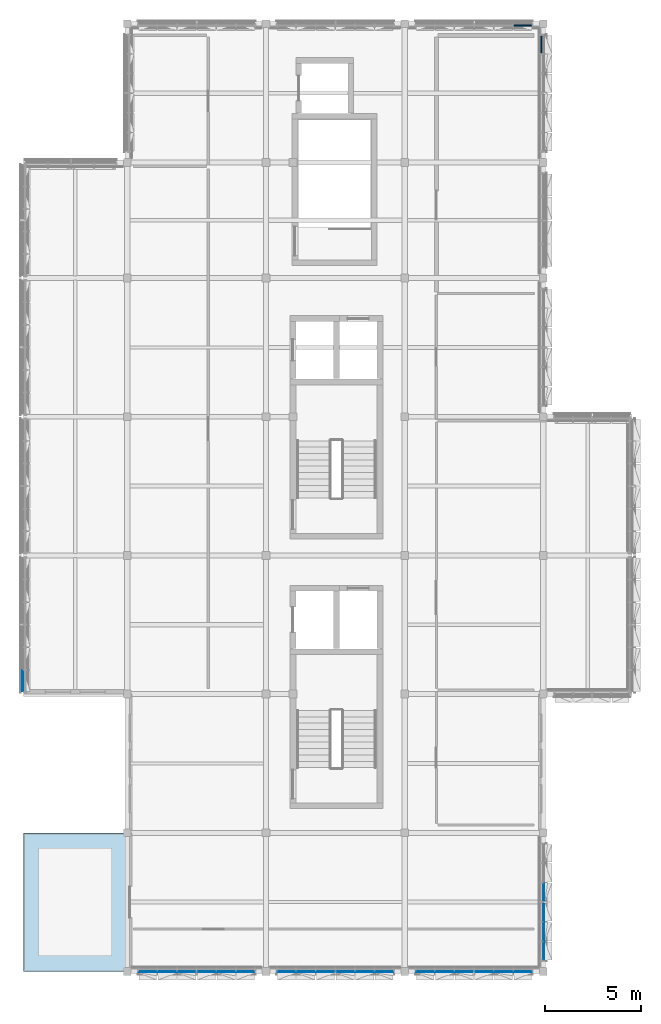
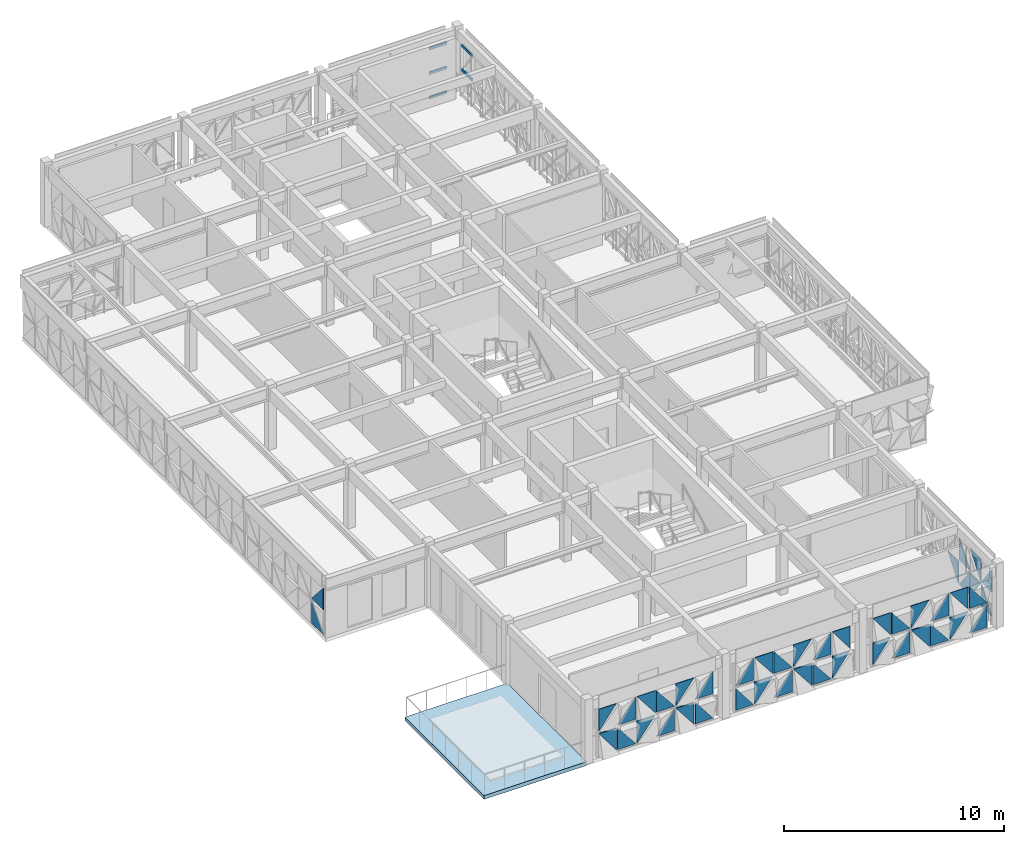
# One storey, part 11 of 25: 45 plates, 5 members, 1 slab, 7 elements without a shape of their own.
"""IFC4 building model written with IfcOpenShell, lengths in metres."""

from ifc_helpers import new_model, si_unit, direction, frame, origin, origin_2d, place, context, subcontext, project, spatial, polyline, rectangle, outline, extrude, material, layer, layer_set, material_profile, profile_set, type_object, element, aggregate, save


model = new_model("IFC4")

# Units and contexts
model_context = context("Model", 3, precision=1e-05, world=origin(), true_north=direction((0.0, 1.0)))
body_context = subcontext(model_context, "Body", "Model", "MODEL_VIEW")
ifc_project = project(units=[si_unit("LENGTHUNIT", "METRE"), si_unit("AREAUNIT", "SQUARE_METRE"), si_unit("VOLUMEUNIT", "CUBIC_METRE"), si_unit("PLANEANGLEUNIT", "RADIAN"), si_unit("MASSUNIT", "GRAM", prefix="KILO")], contexts=[model_context])

# Site, building, storey
site_placement = place(None, origin())
site = spatial("IfcSite", under=ifc_project, at=site_placement, CompositionType="ELEMENT")
building_placement = place(site_placement, origin())
building = spatial("IfcBuilding", under=site, at=building_placement, Name="Alvorim Cloister Faculty of Sciences", CompositionType="ELEMENT")
storey_placement = place(building_placement, frame((0.0, 0.0, 29.699951171875)))
storey = spatial("IfcBuildingStorey", under=building, at=storey_placement, Name="L08", CompositionType="ELEMENT", Elevation=29.699951171875)

# Curtain wall, members
ifc_material_1 = material(Name="Aluminium and Low-E Glass Curtain Wall", Category="aluminium")
curtain_wall_type_1 = type_object("IfcCurtainWallType", Name="CW-TRI-6120x2860", PredefinedType="USERDEFINED", material=ifc_material_1)
curtain_wall_1_placement = place(storey_placement, origin())
curtain_wall_1 = element("IfcCurtainWall", 1, at=curtain_wall_1_placement, inside=storey, type_object=curtain_wall_type_1, Name="L08 Diagonal Cassette Curtain Wall CW-0289", ObjectType="UNITISED CURTAIN WALL", PredefinedType="USERDEFINED")
ifc_material_2 = material(Name="Aluminium Alloy 6063-T6", Category="aluminium")
ifc_material_profile = material_profile(ifc_material_2, rectangle(XDim=0.06494140625, YDim=0.139892578125, at=origin_2d()), Name="ALU-TRN-65x140")
ifc_profile_set = profile_set([ifc_material_profile], Name="Aluminium Alloy 6063-T6")
member_type = type_object("IfcMemberType", Name="CW-TRN-65x140", PredefinedType="USERDEFINED", material=ifc_profile_set)
member_1_placement = place(storey_placement, frame((27.2724609375, 56.31005859375, 0.070068359375), z_axis=(1.0, 0.0, 0.0), x_axis=(0.0, 1.0, 0.0)))
member_1 = element("IfcMember", 2, at=member_1_placement, type_object=member_type, Name="CW-0289 Transom 6.1", ObjectType="TRANSOM", PredefinedType="USERDEFINED", context=body_context, shape_type="SweptSolid", body=[
    extrude(rectangle(XDim=0.06494140625, YDim=0.139892578125, at=origin_2d()), origin(), (0.0, 0.0, 1.0), 0.922607421875),
])
member_2_placement = place(storey_placement, frame((27.2724609375, 56.31005859375, 1.429931640625), z_axis=(1.0, 0.0, 0.0), x_axis=(0.0, 1.0, 0.0)))
member_2 = element("IfcMember", 3, at=member_2_placement, type_object=member_type, Name="CW-0289 Transom 6.2", ObjectType="TRANSOM", PredefinedType="USERDEFINED", context=body_context, shape_type="SweptSolid", body=[
    extrude(rectangle(XDim=0.06494140625, YDim=0.139892578125, at=origin_2d()), origin(), (0.0, 0.0, 1.0), 0.922607421875),
])
member_3_placement = place(storey_placement, frame((27.2724609375, 56.31005859375, 2.7900390625), z_axis=(1.0, 0.0, 0.0), x_axis=(0.0, 1.0, 0.0)))
member_3 = element("IfcMember", 4, at=member_3_placement, type_object=member_type, Name="CW-0289 Transom 6.3", ObjectType="TRANSOM", PredefinedType="USERDEFINED", context=body_context, shape_type="SweptSolid", body=[
    extrude(rectangle(XDim=0.06494140625, YDim=0.139892578125, at=origin_2d()), origin(), (0.0, 0.0, 1.0), 0.922607421875),
])
aggregate(curtain_wall_1, [member_1, member_2, member_3])

curtain_wall_2_placement = place(storey_placement, origin())
curtain_wall_2 = element("IfcCurtainWall", 5, at=curtain_wall_2_placement, inside=storey, type_object=curtain_wall_type_1, Name="L08 Diagonal Cassette Curtain Wall CW-0290", ObjectType="UNITISED CURTAIN WALL", PredefinedType="USERDEFINED")
member_4_placement = place(storey_placement, frame((28.7099609375, 54.87255859375, 1.429931640625), z_axis=(0.0, 1.0, 0.0), x_axis=(-1.0, 0.0, 0.0)))
member_4 = element("IfcMember", 6, at=member_4_placement, type_object=member_type, Name="CW-0290 Transom 6.2", ObjectType="TRANSOM", PredefinedType="USERDEFINED", context=body_context, shape_type="SweptSolid", body=[
    extrude(rectangle(XDim=0.06494140625, YDim=0.139892578125, at=origin_2d()), origin(), (0.0, 0.0, 1.0), 0.92236328125),
])
member_5_placement = place(storey_placement, frame((28.7099609375, 54.87255859375, 2.7900390625), z_axis=(0.0, 1.0, 0.0), x_axis=(-1.0, 0.0, 0.0)))
member_5 = element("IfcMember", 7, at=member_5_placement, type_object=member_type, Name="CW-0290 Transom 6.3", ObjectType="TRANSOM", PredefinedType="USERDEFINED", context=body_context, shape_type="SweptSolid", body=[
    extrude(rectangle(XDim=0.06494140625, YDim=0.139892578125, at=origin_2d()), origin(), (0.0, 0.0, 1.0), 0.92236328125),
])
aggregate(curtain_wall_2, [member_4, member_5])

# Curtain wall, plates
curtain_wall_type_2 = type_object("IfcCurtainWallType", Name="CW-TRI-7040x2867", PredefinedType="USERDEFINED", material=ifc_material_1)
curtain_wall_3_placement = place(storey_placement, origin())
curtain_wall_3 = element("IfcCurtainWall", 8, at=curtain_wall_3_placement, inside=storey, type_object=curtain_wall_type_2, Name="L08 Diagonal Cassette Curtain Wall CW-0281", ObjectType="UNITISED CURTAIN WALL", PredefinedType="USERDEFINED")
ifc_material_3 = material(Name="Double Low-E Laminated Glass", Category="glass")
ifc_layer_1 = layer(ifc_material_3, 0.0400390625)
ifc_layer_set_1 = layer_set([ifc_layer_1], Name="Double Low-E Laminated Glass")
plate_type = type_object("IfcPlateType", Name="PN-GLZ-40", PredefinedType="CURTAIN_PANEL", material=ifc_layer_set_1)
plate_1_placement = place(storey_placement, frame((1.77490234375, 21.7451171875, 0.14013671875), z_axis=(0.0, 0.0, 1.0), x_axis=(0.0, 1.0, 0.0)))
plate_1 = element("IfcPlate", 9, at=plate_1_placement, type_object=plate_type, Name="Diagonal Glazed Triangle TRI-BR", PredefinedType="CURTAIN_PANEL", context=body_context, shape_type="SweptSolid", body=[
    extrude(outline(polyline([(0.001953125, 0.0), (1.075927734375, 0.0), (1.075927734375, 1.221435546875), (0.001953125, 0.0)])), frame((0.0, 0.02490234375, 0.0), z_axis=(0.0, -1.0, 0.0), x_axis=(1.0, 0.0, 0.0)), (0.0, 0.0, 1.0), 0.050048828125),
])
plate_2_placement = place(storey_placement, frame((1.77490234375, 21.7451171875, 1.503662109375), z_axis=(0.0, 0.0, 1.0), x_axis=(0.0, 1.0, 0.0)))
plate_2 = element("IfcPlate", 10, at=plate_2_placement, type_object=plate_type, Name="Diagonal Glazed Triangle TRI-BL", PredefinedType="CURTAIN_PANEL", context=body_context, shape_type="SweptSolid", body=[
    extrude(outline(polyline([(0.0, 0.0), (1.073974609375, 0.0), (0.0, 1.221435546875), (0.0, 0.0)])), frame((0.0, 0.02490234375, 0.0), z_axis=(0.0, -1.0, 0.0), x_axis=(1.0, 0.0, 0.0)), (0.0, 0.0, 1.0), 0.050048828125),
])
aggregate(curtain_wall_3, [plate_1, plate_2])

curtain_wall_4_placement = place(storey_placement, origin())
curtain_wall_4 = element("IfcCurtainWall", 11, at=curtain_wall_4_placement, inside=storey, type_object=curtain_wall_type_1, Name="L08 Diagonal Cassette Curtain Wall CW-0297", ObjectType="UNITISED CURTAIN WALL", PredefinedType="USERDEFINED")
plate_3_placement = place(storey_placement, frame((28.824951171875, 7.804931640625, 0.14013671875), z_axis=(0.0, 0.0, 1.0), x_axis=(0.0, 1.0, 0.0)))
plate_3 = element("IfcPlate", 12, at=plate_3_placement, type_object=plate_type, Name="Diagonal Glazed Triangle TRI-BR", PredefinedType="CURTAIN_PANEL", context=body_context, shape_type="SweptSolid", body=[
    extrude(outline(polyline([(0.001953125, 0.0), (0.922607421875, 0.0), (0.922607421875, 1.218017578125), (0.001953125, 0.0)])), frame((0.0, 0.02490234375, 0.0), z_axis=(0.0, -1.0, 0.0), x_axis=(1.0, 0.0, 0.0)), (0.0, 0.0, 1.0), 0.050048828125),
])
plate_4_placement = place(storey_placement, frame((28.824951171875, 7.804931640625, 1.5), z_axis=(0.0, 0.0, 1.0), x_axis=(0.0, 1.0, 0.0)))
plate_4 = element("IfcPlate", 13, at=plate_4_placement, type_object=plate_type, Name="Diagonal Glazed Triangle TRI-BL", PredefinedType="CURTAIN_PANEL", context=body_context, shape_type="SweptSolid", body=[
    extrude(outline(polyline([(0.0, 0.0), (0.920654296875, 0.0), (0.0, 1.218017578125), (0.0, 0.0)])), frame((0.0, 0.02490234375, 0.0), z_axis=(0.0, -1.0, 0.0), x_axis=(1.0, 0.0, 0.0)), (0.0, 0.0, 1.0), 0.050048828125),
])
plate_5_placement = place(storey_placement, frame((28.824951171875, 8.79248046875, 0.14013671875), z_axis=(0.0, 0.0, 1.0), x_axis=(0.0, 1.0, 0.0)))
plate_5 = element("IfcPlate", 14, at=plate_5_placement, type_object=plate_type, Name="Diagonal Glazed Triangle TRI-TR", PredefinedType="CURTAIN_PANEL", context=body_context, shape_type="SweptSolid", body=[
    extrude(outline(polyline([(0.955078125, 0.001953125), (0.955078125, 1.219970703125), (0.001953125, 1.219970703125), (0.955078125, 0.001953125)])), frame((0.0, 0.02490234375, 0.0), z_axis=(0.0, -1.0, 0.0), x_axis=(1.0, 0.0, 0.0)), (0.0, 0.0, 1.0), 0.050048828125),
])
plate_6_placement = place(storey_placement, frame((28.824951171875, 8.79248046875, 1.5), z_axis=(0.0, 0.0, 1.0), x_axis=(0.0, 1.0, 0.0)))
plate_6 = element("IfcPlate", 15, at=plate_6_placement, type_object=plate_type, Name="Diagonal Glazed Triangle TRI-TL", PredefinedType="CURTAIN_PANEL", context=body_context, shape_type="SweptSolid", body=[
    extrude(outline(polyline([(0.953125, 1.219970703125), (0.0, 1.219970703125), (0.0, 0.001953125), (0.953125, 1.219970703125)])), frame((0.0, 0.02490234375, 0.0), z_axis=(0.0, -1.0, 0.0), x_axis=(1.0, 0.0, 0.0)), (0.0, 0.0, 1.0), 0.050048828125),
])
plate_7_placement = place(storey_placement, frame((28.824951171875, 9.8125, 0.14013671875), z_axis=(0.0, 0.0, 1.0), x_axis=(0.0, 1.0, 0.0)))
plate_7 = element("IfcPlate", 16, at=plate_7_placement, type_object=plate_type, Name="Diagonal Glazed Triangle TRI-BL", PredefinedType="CURTAIN_PANEL", context=body_context, shape_type="SweptSolid", body=[
    extrude(outline(polyline([(0.0, 0.0), (0.953125, 0.0), (0.0, 1.218017578125), (0.0, 0.0)])), frame((0.0, 0.02490234375, 0.0), z_axis=(0.0, -1.0, 0.0), x_axis=(1.0, 0.0, 0.0)), (0.0, 0.0, 1.0), 0.050048828125),
])
plate_8_placement = place(storey_placement, frame((28.824951171875, 9.8125, 1.5), z_axis=(0.0, 0.0, 1.0), x_axis=(0.0, 1.0, 0.0)))
plate_8 = element("IfcPlate", 17, at=plate_8_placement, type_object=plate_type, Name="Diagonal Glazed Triangle TRI-BR", PredefinedType="CURTAIN_PANEL", context=body_context, shape_type="SweptSolid", body=[
    extrude(outline(polyline([(0.001953125, 0.0), (0.955078125, 0.0), (0.955078125, 1.218017578125), (0.001953125, 0.0)])), frame((0.0, 0.02490234375, 0.0), z_axis=(0.0, -1.0, 0.0), x_axis=(1.0, 0.0, 0.0)), (0.0, 0.0, 1.0), 0.050048828125),
])
plate_9_placement = place(storey_placement, frame((28.824951171875, 10.83251953125, 0.14013671875), z_axis=(0.0, 0.0, 1.0), x_axis=(0.0, 1.0, 0.0)))
plate_9 = element("IfcPlate", 18, at=plate_9_placement, type_object=plate_type, Name="Diagonal Glazed Triangle TRI-TL", PredefinedType="CURTAIN_PANEL", context=body_context, shape_type="SweptSolid", body=[
    extrude(outline(polyline([(0.953125, 1.219970703125), (0.0, 1.219970703125), (0.0, 0.001953125), (0.953125, 1.219970703125)])), frame((0.0, 0.02490234375, 0.0), z_axis=(0.0, -1.0, 0.0), x_axis=(1.0, 0.0, 0.0)), (0.0, 0.0, 1.0), 0.050048828125),
])
aggregate(curtain_wall_4, [plate_3, plate_4, plate_5, plate_6, plate_7, plate_8, plate_9])

curtain_wall_5_placement = place(storey_placement, origin())
curtain_wall_5 = element("IfcCurtainWall", 19, at=curtain_wall_5_placement, inside=storey, type_object=curtain_wall_type_1, Name="L08 Diagonal Cassette Curtain Wall CW-0298", ObjectType="UNITISED CURTAIN WALL", PredefinedType="USERDEFINED")
plate_10_placement = place(storey_placement, frame((22.205078125, 7.175048828125, 0.14013671875), z_axis=(0.0, 0.0, 1.0), x_axis=(1.0, 0.0, 0.0)))
plate_10 = element("IfcPlate", 20, at=plate_10_placement, type_object=plate_type, Name="Diagonal Glazed Triangle TRI-TL", PredefinedType="CURTAIN_PANEL", context=body_context, shape_type="SweptSolid", body=[
    extrude(outline(polyline([(0.920654296875, 1.219970703125), (0.0, 1.219970703125), (0.0, 0.001953125), (0.920654296875, 1.219970703125)])), frame((0.0, 0.02490234375, 0.0), z_axis=(0.0, -1.0, 0.0), x_axis=(1.0, 0.0, 0.0)), (0.0, 0.0, 1.0), 0.050048828125),
])
plate_11_placement = place(storey_placement, frame((22.205078125, 7.175048828125, 1.5), z_axis=(0.0, 0.0, 1.0), x_axis=(1.0, 0.0, 0.0)))
plate_11 = element("IfcPlate", 21, at=plate_11_placement, type_object=plate_type, Name="Diagonal Glazed Triangle TRI-TR", PredefinedType="CURTAIN_PANEL", context=body_context, shape_type="SweptSolid", body=[
    extrude(outline(polyline([(0.922607421875, 0.001953125), (0.922607421875, 1.219970703125), (0.001953125, 1.219970703125), (0.922607421875, 0.001953125)])), frame((0.0, 0.02490234375, 0.0), z_axis=(0.0, -1.0, 0.0), x_axis=(1.0, 0.0, 0.0)), (0.0, 0.0, 1.0), 0.050048828125),
])
plate_12_placement = place(storey_placement, frame((23.1923828125, 7.175048828125, 0.14013671875), z_axis=(0.0, 0.0, 1.0), x_axis=(1.0, 0.0, 0.0)))
plate_12 = element("IfcPlate", 22, at=plate_12_placement, type_object=plate_type, Name="Diagonal Glazed Triangle TRI-BR", PredefinedType="CURTAIN_PANEL", context=body_context, shape_type="SweptSolid", body=[
    extrude(outline(polyline([(0.001953125, 0.0), (0.955078125, 0.0), (0.955078125, 1.218017578125), (0.001953125, 0.0)])), frame((0.0, 0.02490234375, 0.0), z_axis=(0.0, -1.0, 0.0), x_axis=(1.0, 0.0, 0.0)), (0.0, 0.0, 1.0), 0.050048828125),
])
plate_13_placement = place(storey_placement, frame((23.1923828125, 7.175048828125, 1.5), z_axis=(0.0, 0.0, 1.0), x_axis=(1.0, 0.0, 0.0)))
plate_13 = element("IfcPlate", 23, at=plate_13_placement, type_object=plate_type, Name="Diagonal Glazed Triangle TRI-BL", PredefinedType="CURTAIN_PANEL", context=body_context, shape_type="SweptSolid", body=[
    extrude(outline(polyline([(0.0, 0.0), (0.953125, 0.0), (0.0, 1.218017578125), (0.0, 0.0)])), frame((0.0, 0.02490234375, 0.0), z_axis=(0.0, -1.0, 0.0), x_axis=(1.0, 0.0, 0.0)), (0.0, 0.0, 1.0), 0.050048828125),
])
plate_14_placement = place(storey_placement, frame((24.21240234375, 7.175048828125, 0.14013671875), z_axis=(0.0, 0.0, 1.0), x_axis=(1.0, 0.0, 0.0)))
plate_14 = element("IfcPlate", 24, at=plate_14_placement, type_object=plate_type, Name="Diagonal Glazed Triangle TRI-TR", PredefinedType="CURTAIN_PANEL", context=body_context, shape_type="SweptSolid", body=[
    extrude(outline(polyline([(0.955078125, 0.001953125), (0.955078125, 1.219970703125), (0.001953125, 1.219970703125), (0.955078125, 0.001953125)])), frame((0.0, 0.02490234375, 0.0), z_axis=(0.0, -1.0, 0.0), x_axis=(1.0, 0.0, 0.0)), (0.0, 0.0, 1.0), 0.050048828125),
])
plate_15_placement = place(storey_placement, frame((24.21240234375, 7.175048828125, 1.5), z_axis=(0.0, 0.0, 1.0), x_axis=(1.0, 0.0, 0.0)))
plate_15 = element("IfcPlate", 25, at=plate_15_placement, type_object=plate_type, Name="Diagonal Glazed Triangle TRI-TL", PredefinedType="CURTAIN_PANEL", context=body_context, shape_type="SweptSolid", body=[
    extrude(outline(polyline([(0.953125, 1.219970703125), (0.0, 1.219970703125), (0.0, 0.001953125), (0.953125, 1.219970703125)])), frame((0.0, 0.02490234375, 0.0), z_axis=(0.0, -1.0, 0.0), x_axis=(1.0, 0.0, 0.0)), (0.0, 0.0, 1.0), 0.050048828125),
])
plate_16_placement = place(storey_placement, frame((25.232421875, 7.175048828125, 0.14013671875), z_axis=(0.0, 0.0, 1.0), x_axis=(1.0, 0.0, 0.0)))
plate_16 = element("IfcPlate", 26, at=plate_16_placement, type_object=plate_type, Name="Diagonal Glazed Triangle TRI-BL", PredefinedType="CURTAIN_PANEL", context=body_context, shape_type="SweptSolid", body=[
    extrude(outline(polyline([(0.0, 0.0), (0.953125, 0.0), (0.0, 1.218017578125), (0.0, 0.0)])), frame((0.0, 0.02490234375, 0.0), z_axis=(0.0, -1.0, 0.0), x_axis=(1.0, 0.0, 0.0)), (0.0, 0.0, 1.0), 0.050048828125),
])
plate_17_placement = place(storey_placement, frame((25.232421875, 7.175048828125, 1.5), z_axis=(0.0, 0.0, 1.0), x_axis=(1.0, 0.0, 0.0)))
plate_17 = element("IfcPlate", 27, at=plate_17_placement, type_object=plate_type, Name="Diagonal Glazed Triangle TRI-BR", PredefinedType="CURTAIN_PANEL", context=body_context, shape_type="SweptSolid", body=[
    extrude(outline(polyline([(0.001953125, 0.0), (0.955078125, 0.0), (0.955078125, 1.218017578125), (0.001953125, 0.0)])), frame((0.0, 0.02490234375, 0.0), z_axis=(0.0, -1.0, 0.0), x_axis=(1.0, 0.0, 0.0)), (0.0, 0.0, 1.0), 0.050048828125),
])
plate_18_placement = place(storey_placement, frame((26.25244140625, 7.175048828125, 0.14013671875), z_axis=(0.0, 0.0, 1.0), x_axis=(1.0, 0.0, 0.0)))
plate_18 = element("IfcPlate", 28, at=plate_18_placement, type_object=plate_type, Name="Diagonal Glazed Triangle TRI-TL", PredefinedType="CURTAIN_PANEL", context=body_context, shape_type="SweptSolid", body=[
    extrude(outline(polyline([(0.953125, 1.219970703125), (0.0, 1.219970703125), (0.0, 0.001953125), (0.953125, 1.219970703125)])), frame((0.0, 0.02490234375, 0.0), z_axis=(0.0, -1.0, 0.0), x_axis=(1.0, 0.0, 0.0)), (0.0, 0.0, 1.0), 0.050048828125),
])
plate_19_placement = place(storey_placement, frame((26.25244140625, 7.175048828125, 1.5), z_axis=(0.0, 0.0, 1.0), x_axis=(1.0, 0.0, 0.0)))
plate_19 = element("IfcPlate", 29, at=plate_19_placement, type_object=plate_type, Name="Diagonal Glazed Triangle TRI-TR", PredefinedType="CURTAIN_PANEL", context=body_context, shape_type="SweptSolid", body=[
    extrude(outline(polyline([(0.955078125, 0.001953125), (0.955078125, 1.219970703125), (0.001953125, 1.219970703125), (0.955078125, 0.001953125)])), frame((0.0, 0.02490234375, 0.0), z_axis=(0.0, -1.0, 0.0), x_axis=(1.0, 0.0, 0.0)), (0.0, 0.0, 1.0), 0.050048828125),
])
plate_20_placement = place(storey_placement, frame((27.2724609375, 7.175048828125, 0.14013671875), z_axis=(0.0, 0.0, 1.0), x_axis=(1.0, 0.0, 0.0)))
plate_20 = element("IfcPlate", 30, at=plate_20_placement, type_object=plate_type, Name="Diagonal Glazed Triangle TRI-BR", PredefinedType="CURTAIN_PANEL", context=body_context, shape_type="SweptSolid", body=[
    extrude(outline(polyline([(0.001953125, 0.0), (0.922607421875, 0.0), (0.922607421875, 1.218017578125), (0.001953125, 0.0)])), frame((0.0, 0.02490234375, 0.0), z_axis=(0.0, -1.0, 0.0), x_axis=(1.0, 0.0, 0.0)), (0.0, 0.0, 1.0), 0.050048828125),
])
plate_21_placement = place(storey_placement, frame((27.2724609375, 7.175048828125, 1.5), z_axis=(0.0, 0.0, 1.0), x_axis=(1.0, 0.0, 0.0)))
plate_21 = element("IfcPlate", 31, at=plate_21_placement, type_object=plate_type, Name="Diagonal Glazed Triangle TRI-BL", PredefinedType="CURTAIN_PANEL", context=body_context, shape_type="SweptSolid", body=[
    extrude(outline(polyline([(0.0, 0.0), (0.920654296875, 0.0), (0.0, 1.218017578125), (0.0, 0.0)])), frame((0.0, 0.02490234375, 0.0), z_axis=(0.0, -1.0, 0.0), x_axis=(1.0, 0.0, 0.0)), (0.0, 0.0, 1.0), 0.050048828125),
])
aggregate(curtain_wall_5, [plate_10, plate_11, plate_12, plate_13, plate_14, plate_15, plate_16, plate_17, plate_18, plate_19, plate_20, plate_21])

curtain_wall_6_placement = place(storey_placement, origin())
curtain_wall_6 = element("IfcCurtainWall", 32, at=curtain_wall_6_placement, inside=storey, type_object=curtain_wall_type_1, Name="L08 Diagonal Cassette Curtain Wall CW-0299", ObjectType="UNITISED CURTAIN WALL", PredefinedType="USERDEFINED")
plate_22_placement = place(storey_placement, frame((15.0048828125, 7.175048828125, 0.14013671875), z_axis=(0.0, 0.0, 1.0), x_axis=(1.0, 0.0, 0.0)))
plate_22 = element("IfcPlate", 33, at=plate_22_placement, type_object=plate_type, Name="Diagonal Glazed Triangle TRI-BL", PredefinedType="CURTAIN_PANEL", context=body_context, shape_type="SweptSolid", body=[
    extrude(outline(polyline([(0.0, 0.0), (0.920654296875, 0.0), (0.0, 1.218017578125), (0.0, 0.0)])), frame((0.0, 0.02490234375, 0.0), z_axis=(0.0, -1.0, 0.0), x_axis=(1.0, 0.0, 0.0)), (0.0, 0.0, 1.0), 0.050048828125),
])
plate_23_placement = place(storey_placement, frame((15.0048828125, 7.175048828125, 1.5), z_axis=(0.0, 0.0, 1.0), x_axis=(1.0, 0.0, 0.0)))
plate_23 = element("IfcPlate", 34, at=plate_23_placement, type_object=plate_type, Name="Diagonal Glazed Triangle TRI-BR", PredefinedType="CURTAIN_PANEL", context=body_context, shape_type="SweptSolid", body=[
    extrude(outline(polyline([(0.001953125, 0.0), (0.922607421875, 0.0), (0.922607421875, 1.218017578125), (0.001953125, 0.0)])), frame((0.0, 0.02490234375, 0.0), z_axis=(0.0, -1.0, 0.0), x_axis=(1.0, 0.0, 0.0)), (0.0, 0.0, 1.0), 0.050048828125),
])
plate_24_placement = place(storey_placement, frame((15.992431640625, 7.175048828125, 0.14013671875), z_axis=(0.0, 0.0, 1.0), x_axis=(1.0, 0.0, 0.0)))
plate_24 = element("IfcPlate", 35, at=plate_24_placement, type_object=plate_type, Name="Diagonal Glazed Triangle TRI-TL", PredefinedType="CURTAIN_PANEL", context=body_context, shape_type="SweptSolid", body=[
    extrude(outline(polyline([(0.953125, 1.219970703125), (0.0, 1.219970703125), (0.0, 0.001953125), (0.953125, 1.219970703125)])), frame((0.0, 0.02490234375, 0.0), z_axis=(0.0, -1.0, 0.0), x_axis=(1.0, 0.0, 0.0)), (0.0, 0.0, 1.0), 0.050048828125),
])
plate_25_placement = place(storey_placement, frame((15.992431640625, 7.175048828125, 1.5), z_axis=(0.0, 0.0, 1.0), x_axis=(1.0, 0.0, 0.0)))
plate_25 = element("IfcPlate", 36, at=plate_25_placement, type_object=plate_type, Name="Diagonal Glazed Triangle TRI-TR", PredefinedType="CURTAIN_PANEL", context=body_context, shape_type="SweptSolid", body=[
    extrude(outline(polyline([(0.955078125, 0.001953125), (0.955078125, 1.219970703125), (0.001953125, 1.219970703125), (0.955078125, 0.001953125)])), frame((0.0, 0.02490234375, 0.0), z_axis=(0.0, -1.0, 0.0), x_axis=(1.0, 0.0, 0.0)), (0.0, 0.0, 1.0), 0.050048828125),
])
plate_26_placement = place(storey_placement, frame((17.012451171875, 7.175048828125, 0.14013671875), z_axis=(0.0, 0.0, 1.0), x_axis=(1.0, 0.0, 0.0)))
plate_26 = element("IfcPlate", 37, at=plate_26_placement, type_object=plate_type, Name="Diagonal Glazed Triangle TRI-BR", PredefinedType="CURTAIN_PANEL", context=body_context, shape_type="SweptSolid", body=[
    extrude(outline(polyline([(0.001953125, 0.0), (0.955078125, 0.0), (0.955078125, 1.218017578125), (0.001953125, 0.0)])), frame((0.0, 0.02490234375, 0.0), z_axis=(0.0, -1.0, 0.0), x_axis=(1.0, 0.0, 0.0)), (0.0, 0.0, 1.0), 0.050048828125),
])
plate_27_placement = place(storey_placement, frame((17.012451171875, 7.175048828125, 1.5), z_axis=(0.0, 0.0, 1.0), x_axis=(1.0, 0.0, 0.0)))
plate_27 = element("IfcPlate", 38, at=plate_27_placement, type_object=plate_type, Name="Diagonal Glazed Triangle TRI-BL", PredefinedType="CURTAIN_PANEL", context=body_context, shape_type="SweptSolid", body=[
    extrude(outline(polyline([(0.0, 0.0), (0.953125, 0.0), (0.0, 1.218017578125), (0.0, 0.0)])), frame((0.0, 0.02490234375, 0.0), z_axis=(0.0, -1.0, 0.0), x_axis=(1.0, 0.0, 0.0)), (0.0, 0.0, 1.0), 0.050048828125),
])
plate_28_placement = place(storey_placement, frame((18.032470703125, 7.175048828125, 0.14013671875), z_axis=(0.0, 0.0, 1.0), x_axis=(1.0, 0.0, 0.0)))
plate_28 = element("IfcPlate", 39, at=plate_28_placement, type_object=plate_type, Name="Diagonal Glazed Triangle TRI-TR", PredefinedType="CURTAIN_PANEL", context=body_context, shape_type="SweptSolid", body=[
    extrude(outline(polyline([(0.955078125, 0.001953125), (0.955078125, 1.219970703125), (0.001953125, 1.219970703125), (0.955078125, 0.001953125)])), frame((0.0, 0.02490234375, 0.0), z_axis=(0.0, -1.0, 0.0), x_axis=(1.0, 0.0, 0.0)), (0.0, 0.0, 1.0), 0.050048828125),
])
plate_29_placement = place(storey_placement, frame((18.032470703125, 7.175048828125, 1.5), z_axis=(0.0, 0.0, 1.0), x_axis=(1.0, 0.0, 0.0)))
plate_29 = element("IfcPlate", 40, at=plate_29_placement, type_object=plate_type, Name="Diagonal Glazed Triangle TRI-TL", PredefinedType="CURTAIN_PANEL", context=body_context, shape_type="SweptSolid", body=[
    extrude(outline(polyline([(0.953125, 1.219970703125), (0.0, 1.219970703125), (0.0, 0.001953125), (0.953125, 1.219970703125)])), frame((0.0, 0.02490234375, 0.0), z_axis=(0.0, -1.0, 0.0), x_axis=(1.0, 0.0, 0.0)), (0.0, 0.0, 1.0), 0.050048828125),
])
plate_30_placement = place(storey_placement, frame((19.052490234375, 7.175048828125, 0.14013671875), z_axis=(0.0, 0.0, 1.0), x_axis=(1.0, 0.0, 0.0)))
plate_30 = element("IfcPlate", 41, at=plate_30_placement, type_object=plate_type, Name="Diagonal Glazed Triangle TRI-BL", PredefinedType="CURTAIN_PANEL", context=body_context, shape_type="SweptSolid", body=[
    extrude(outline(polyline([(0.0, 0.0), (0.953125, 0.0), (0.0, 1.218017578125), (0.0, 0.0)])), frame((0.0, 0.02490234375, 0.0), z_axis=(0.0, -1.0, 0.0), x_axis=(1.0, 0.0, 0.0)), (0.0, 0.0, 1.0), 0.050048828125),
])
plate_31_placement = place(storey_placement, frame((19.052490234375, 7.175048828125, 1.5), z_axis=(0.0, 0.0, 1.0), x_axis=(1.0, 0.0, 0.0)))
plate_31 = element("IfcPlate", 42, at=plate_31_placement, type_object=plate_type, Name="Diagonal Glazed Triangle TRI-BR", PredefinedType="CURTAIN_PANEL", context=body_context, shape_type="SweptSolid", body=[
    extrude(outline(polyline([(0.001953125, 0.0), (0.955078125, 0.0), (0.955078125, 1.218017578125), (0.001953125, 0.0)])), frame((0.0, 0.02490234375, 0.0), z_axis=(0.0, -1.0, 0.0), x_axis=(1.0, 0.0, 0.0)), (0.0, 0.0, 1.0), 0.050048828125),
])
plate_32_placement = place(storey_placement, frame((20.072509765625, 7.175048828125, 0.14013671875), z_axis=(0.0, 0.0, 1.0), x_axis=(1.0, 0.0, 0.0)))
plate_32 = element("IfcPlate", 43, at=plate_32_placement, type_object=plate_type, Name="Diagonal Glazed Triangle TRI-TL", PredefinedType="CURTAIN_PANEL", context=body_context, shape_type="SweptSolid", body=[
    extrude(outline(polyline([(0.920654296875, 1.219970703125), (0.0, 1.219970703125), (0.0, 0.001953125), (0.920654296875, 1.219970703125)])), frame((0.0, 0.02490234375, 0.0), z_axis=(0.0, -1.0, 0.0), x_axis=(1.0, 0.0, 0.0)), (0.0, 0.0, 1.0), 0.050048828125),
])
plate_33_placement = place(storey_placement, frame((20.072509765625, 7.175048828125, 1.5), z_axis=(0.0, 0.0, 1.0), x_axis=(1.0, 0.0, 0.0)))
plate_33 = element("IfcPlate", 44, at=plate_33_placement, type_object=plate_type, Name="Diagonal Glazed Triangle TRI-TR", PredefinedType="CURTAIN_PANEL", context=body_context, shape_type="SweptSolid", body=[
    extrude(outline(polyline([(0.922607421875, 0.001953125), (0.922607421875, 1.219970703125), (0.001953125, 1.219970703125), (0.922607421875, 0.001953125)])), frame((0.0, 0.02490234375, 0.0), z_axis=(0.0, -1.0, 0.0), x_axis=(1.0, 0.0, 0.0)), (0.0, 0.0, 1.0), 0.050048828125),
])
aggregate(curtain_wall_6, [plate_22, plate_23, plate_24, plate_25, plate_26, plate_27, plate_28, plate_29, plate_30, plate_31, plate_32, plate_33])

curtain_wall_7_placement = place(storey_placement, origin())
curtain_wall_7 = element("IfcCurtainWall", 45, at=curtain_wall_7_placement, inside=storey, type_object=curtain_wall_type_1, Name="L08 Diagonal Cassette Curtain Wall CW-0300", ObjectType="UNITISED CURTAIN WALL", PredefinedType="USERDEFINED")
plate_34_placement = place(storey_placement, frame((7.804931640625, 7.175048828125, 0.14013671875), z_axis=(0.0, 0.0, 1.0), x_axis=(1.0, 0.0, 0.0)))
plate_34 = element("IfcPlate", 46, at=plate_34_placement, type_object=plate_type, Name="Diagonal Glazed Triangle TRI-TR", PredefinedType="CURTAIN_PANEL", context=body_context, shape_type="SweptSolid", body=[
    extrude(outline(polyline([(0.922607421875, 0.001953125), (0.922607421875, 1.219970703125), (0.001953125, 1.219970703125), (0.922607421875, 0.001953125)])), frame((0.0, 0.02490234375, 0.0), z_axis=(0.0, -1.0, 0.0), x_axis=(1.0, 0.0, 0.0)), (0.0, 0.0, 1.0), 0.050048828125),
])
plate_35_placement = place(storey_placement, frame((7.804931640625, 7.175048828125, 1.5), z_axis=(0.0, 0.0, 1.0), x_axis=(1.0, 0.0, 0.0)))
plate_35 = element("IfcPlate", 47, at=plate_35_placement, type_object=plate_type, Name="Diagonal Glazed Triangle TRI-TL", PredefinedType="CURTAIN_PANEL", context=body_context, shape_type="SweptSolid", body=[
    extrude(outline(polyline([(0.920654296875, 1.219970703125), (0.0, 1.219970703125), (0.0, 0.001953125), (0.920654296875, 1.219970703125)])), frame((0.0, 0.02490234375, 0.0), z_axis=(0.0, -1.0, 0.0), x_axis=(1.0, 0.0, 0.0)), (0.0, 0.0, 1.0), 0.050048828125),
])
plate_36_placement = place(storey_placement, frame((8.79248046875, 7.175048828125, 0.14013671875), z_axis=(0.0, 0.0, 1.0), x_axis=(1.0, 0.0, 0.0)))
plate_36 = element("IfcPlate", 48, at=plate_36_placement, type_object=plate_type, Name="Diagonal Glazed Triangle TRI-BL", PredefinedType="CURTAIN_PANEL", context=body_context, shape_type="SweptSolid", body=[
    extrude(outline(polyline([(0.0, 0.0), (0.953125, 0.0), (0.0, 1.218017578125), (0.0, 0.0)])), frame((0.0, 0.02490234375, 0.0), z_axis=(0.0, -1.0, 0.0), x_axis=(1.0, 0.0, 0.0)), (0.0, 0.0, 1.0), 0.050048828125),
])
plate_37_placement = place(storey_placement, frame((8.79248046875, 7.175048828125, 1.5), z_axis=(0.0, 0.0, 1.0), x_axis=(1.0, 0.0, 0.0)))
plate_37 = element("IfcPlate", 49, at=plate_37_placement, type_object=plate_type, Name="Diagonal Glazed Triangle TRI-BR", PredefinedType="CURTAIN_PANEL", context=body_context, shape_type="SweptSolid", body=[
    extrude(outline(polyline([(0.001953125, 0.0), (0.955078125, 0.0), (0.955078125, 1.218017578125), (0.001953125, 0.0)])), frame((0.0, 0.02490234375, 0.0), z_axis=(0.0, -1.0, 0.0), x_axis=(1.0, 0.0, 0.0)), (0.0, 0.0, 1.0), 0.050048828125),
])
plate_38_placement = place(storey_placement, frame((9.8125, 7.175048828125, 0.14013671875), z_axis=(0.0, 0.0, 1.0), x_axis=(1.0, 0.0, 0.0)))
plate_38 = element("IfcPlate", 50, at=plate_38_placement, type_object=plate_type, Name="Diagonal Glazed Triangle TRI-TL", PredefinedType="CURTAIN_PANEL", context=body_context, shape_type="SweptSolid", body=[
    extrude(outline(polyline([(0.953125, 1.219970703125), (0.0, 1.219970703125), (0.0, 0.001953125), (0.953125, 1.219970703125)])), frame((0.0, 0.02490234375, 0.0), z_axis=(0.0, -1.0, 0.0), x_axis=(1.0, 0.0, 0.0)), (0.0, 0.0, 1.0), 0.050048828125),
])
plate_39_placement = place(storey_placement, frame((9.8125, 7.175048828125, 1.5), z_axis=(0.0, 0.0, 1.0), x_axis=(1.0, 0.0, 0.0)))
plate_39 = element("IfcPlate", 51, at=plate_39_placement, type_object=plate_type, Name="Diagonal Glazed Triangle TRI-TR", PredefinedType="CURTAIN_PANEL", context=body_context, shape_type="SweptSolid", body=[
    extrude(outline(polyline([(0.955078125, 0.001953125), (0.955078125, 1.219970703125), (0.001953125, 1.219970703125), (0.955078125, 0.001953125)])), frame((0.0, 0.02490234375, 0.0), z_axis=(0.0, -1.0, 0.0), x_axis=(1.0, 0.0, 0.0)), (0.0, 0.0, 1.0), 0.050048828125),
])
plate_40_placement = place(storey_placement, frame((10.83251953125, 7.175048828125, 0.14013671875), z_axis=(0.0, 0.0, 1.0), x_axis=(1.0, 0.0, 0.0)))
plate_40 = element("IfcPlate", 52, at=plate_40_placement, type_object=plate_type, Name="Diagonal Glazed Triangle TRI-BR", PredefinedType="CURTAIN_PANEL", context=body_context, shape_type="SweptSolid", body=[
    extrude(outline(polyline([(0.001953125, 0.0), (0.955078125, 0.0), (0.955078125, 1.218017578125), (0.001953125, 0.0)])), frame((0.0, 0.02490234375, 0.0), z_axis=(0.0, -1.0, 0.0), x_axis=(1.0, 0.0, 0.0)), (0.0, 0.0, 1.0), 0.050048828125),
])
plate_41_placement = place(storey_placement, frame((10.83251953125, 7.175048828125, 1.5), z_axis=(0.0, 0.0, 1.0), x_axis=(1.0, 0.0, 0.0)))
plate_41 = element("IfcPlate", 53, at=plate_41_placement, type_object=plate_type, Name="Diagonal Glazed Triangle TRI-BL", PredefinedType="CURTAIN_PANEL", context=body_context, shape_type="SweptSolid", body=[
    extrude(outline(polyline([(0.0, 0.0), (0.953125, 0.0), (0.0, 1.218017578125), (0.0, 0.0)])), frame((0.0, 0.02490234375, 0.0), z_axis=(0.0, -1.0, 0.0), x_axis=(1.0, 0.0, 0.0)), (0.0, 0.0, 1.0), 0.050048828125),
])
plate_42_placement = place(storey_placement, frame((11.8525390625, 7.175048828125, 0.14013671875), z_axis=(0.0, 0.0, 1.0), x_axis=(1.0, 0.0, 0.0)))
plate_42 = element("IfcPlate", 54, at=plate_42_placement, type_object=plate_type, Name="Diagonal Glazed Triangle TRI-TR", PredefinedType="CURTAIN_PANEL", context=body_context, shape_type="SweptSolid", body=[
    extrude(outline(polyline([(0.955078125, 0.001953125), (0.955078125, 1.219970703125), (0.001953125, 1.219970703125), (0.955078125, 0.001953125)])), frame((0.0, 0.02490234375, 0.0), z_axis=(0.0, -1.0, 0.0), x_axis=(1.0, 0.0, 0.0)), (0.0, 0.0, 1.0), 0.050048828125),
])
plate_43_placement = place(storey_placement, frame((11.8525390625, 7.175048828125, 1.5), z_axis=(0.0, 0.0, 1.0), x_axis=(1.0, 0.0, 0.0)))
plate_43 = element("IfcPlate", 55, at=plate_43_placement, type_object=plate_type, Name="Diagonal Glazed Triangle TRI-TL", PredefinedType="CURTAIN_PANEL", context=body_context, shape_type="SweptSolid", body=[
    extrude(outline(polyline([(0.953125, 1.219970703125), (0.0, 1.219970703125), (0.0, 0.001953125), (0.953125, 1.219970703125)])), frame((0.0, 0.02490234375, 0.0), z_axis=(0.0, -1.0, 0.0), x_axis=(1.0, 0.0, 0.0)), (0.0, 0.0, 1.0), 0.050048828125),
])
plate_44_placement = place(storey_placement, frame((12.87255859375, 7.175048828125, 0.14013671875), z_axis=(0.0, 0.0, 1.0), x_axis=(1.0, 0.0, 0.0)))
plate_44 = element("IfcPlate", 56, at=plate_44_placement, type_object=plate_type, Name="Diagonal Glazed Triangle TRI-BL", PredefinedType="CURTAIN_PANEL", context=body_context, shape_type="SweptSolid", body=[
    extrude(outline(polyline([(0.0, 0.0), (0.920654296875, 0.0), (0.0, 1.218017578125), (0.0, 0.0)])), frame((0.0, 0.02490234375, 0.0), z_axis=(0.0, -1.0, 0.0), x_axis=(1.0, 0.0, 0.0)), (0.0, 0.0, 1.0), 0.050048828125),
])
plate_45_placement = place(storey_placement, frame((12.87255859375, 7.175048828125, 1.5), z_axis=(0.0, 0.0, 1.0), x_axis=(1.0, 0.0, 0.0)))
plate_45 = element("IfcPlate", 57, at=plate_45_placement, type_object=plate_type, Name="Diagonal Glazed Triangle TRI-BR", PredefinedType="CURTAIN_PANEL", context=body_context, shape_type="SweptSolid", body=[
    extrude(outline(polyline([(0.001953125, 0.0), (0.922607421875, 0.0), (0.922607421875, 1.218017578125), (0.001953125, 0.0)])), frame((0.0, 0.02490234375, 0.0), z_axis=(0.0, -1.0, 0.0), x_axis=(1.0, 0.0, 0.0)), (0.0, 0.0, 1.0), 0.050048828125),
])
aggregate(curtain_wall_7, [plate_34, plate_35, plate_36, plate_37, plate_38, plate_39, plate_40, plate_41, plate_42, plate_43, plate_44, plate_45])

# Slab
ifc_material_4 = material(Name="Cross-Laminated Timber CLT C24", Category="wood")
ifc_layer_2 = layer(ifc_material_4, 0.2099609375)
ifc_layer_set_2 = layer_set([ifc_layer_2], Name="Cross-Laminated Timber CLT C24")
slab_type = type_object("IfcSlabType", Name="SL-TER-210", PredefinedType="USERDEFINED", material=ifc_layer_set_2)
slab_placement = place(storey_placement, frame((0.0, 0.0, -0.2099609375)))
element("IfcSlab", 58, at=slab_placement, inside=storey, type_object=slab_type, Name="L08 South-West Cantilever Sky Terrace", ObjectType="TERRACE DECK", PredefinedType="USERDEFINED", context=body_context, shape_type="SweptSolid", body=[
    extrude(outline(polyline([(1.800048828125, 7.199951171875), (1.800048828125, 14.39990234375), (7.18505859375, 14.39990234375), (7.18505859375, 7.199951171875), (1.800048828125, 7.199951171875)])), origin(), (0.0, 0.0, 1.0), 0.2099609375),
])

save(model, "model.ifc")
